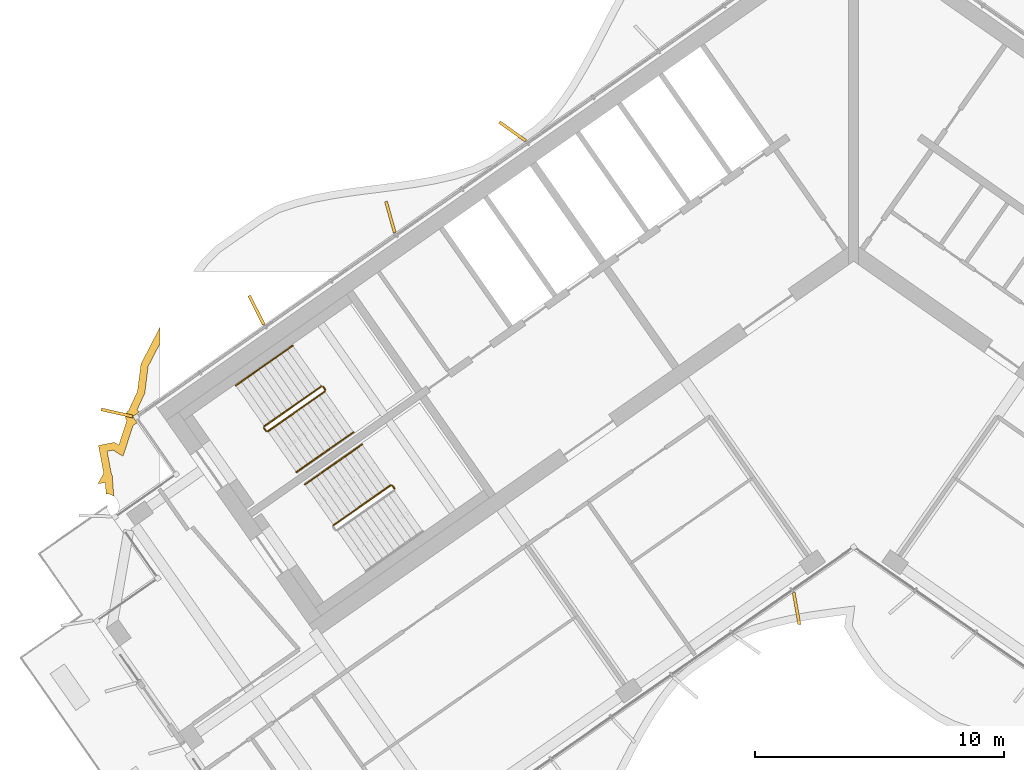
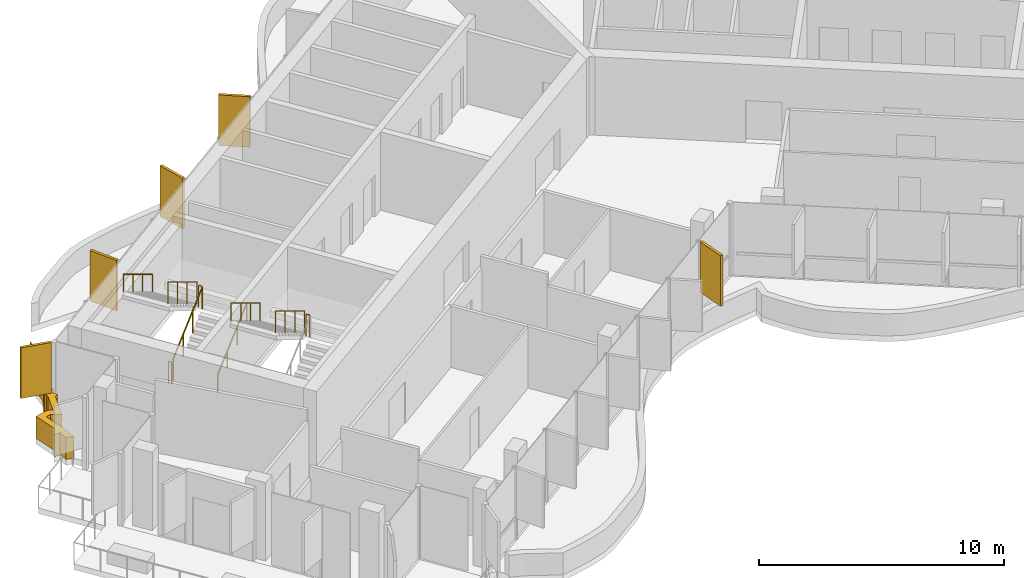
# One storey, part 14 of 18: 9 railings, 6 shading devices.
"""IFC4 building model written with IfcOpenShell, lengths in metres."""

from ifc_helpers import new_model, si_unit, direction, frame, origin, origin_2d, place, context, subcontext, project, spatial, polyline, rectangle, circle, outline, extrude, material, layer, layer_set, type_object, element, save


model = new_model("IFC4")

# Units and contexts
model_context = context("Model", 3, precision=1e-05, world=origin(), true_north=direction((0.0, 1.0)))
body_context = subcontext(model_context, "Body", "Model", "MODEL_VIEW")
ifc_project = project(units=[si_unit("LENGTHUNIT", "METRE"), si_unit("AREAUNIT", "SQUARE_METRE"), si_unit("VOLUMEUNIT", "CUBIC_METRE"), si_unit("PLANEANGLEUNIT", "RADIAN"), si_unit("MASSUNIT", "GRAM", prefix="KILO")], contexts=[model_context])

# Site, building, storey
site_placement = place(None, origin())
site = spatial("IfcSite", under=ifc_project, at=site_placement, CompositionType="ELEMENT")
building_placement = place(site_placement, origin())
building = spatial("IfcBuilding", under=site, at=building_placement, Name="Tel Ilan Convention Tower", CompositionType="ELEMENT")
storey_placement = place(building_placement, frame((0.0, 0.0, 295.60009765625)))
storey = spatial("IfcBuildingStorey", under=building, at=storey_placement, Name="L70", CompositionType="ELEMENT", Elevation=295.60009765625)

# Shading devices
ifc_material_1 = material(Name="Aluminium, bronze anodised", Category="aluminium")
ifc_layer_1 = layer(ifc_material_1, 0.1201171875)
ifc_layer_set_1 = layer_set([ifc_layer_1], Name="FIN BRONZE 1300x120")
shading_device_type_1 = type_object("IfcShadingDeviceType", Name="FIN BRONZE 1300x120", PredefinedType="USERDEFINED", material=ifc_layer_set_1)
for number, where, z_axis, x_axis, name in (
    (1, (-13.703125, 3.9951171875, 1.099853515625), (0.0, 0.0, 1.0), (-0.813552070258, 0.581492071294, 0.0), "FIN"),
    (2, (-18.61376953125, 0.556640625, 1.099853515625), (0.0, 0.0, 1.0), (-0.268172612768, 0.963370878614, 0.0), "FIN"),
    (3, (-23.989990234375, -3.184814453125, 1.099853515625), (0.0, 0.0, 1.0), (-0.448799180206, 0.893632640321, 0.0), "FIN"),
    (4, (-29.594970703125, -7.31494140625, 1.099853515625), (0.0, 0.0, 1.0), (-0.975235208752, 0.221170268371, 0.0), "FIN"),
    (5, (-2.294189453125, -15.174072265625, 1.099853515625), (0.0, 0.0, 1.0), (0.173648177667, -0.984807753012, 0.0), "FIN"),
):
    element("IfcShadingDevice", number, at=place(storey_placement, frame(where, z_axis=z_axis, x_axis=x_axis)), inside=storey, type_object=shading_device_type_1, Name=name, ObjectType="FIN", PredefinedType="USERDEFINED", context=body_context, shape_type="SweptSolid", body=[
        extrude(rectangle(XDim=1.300048828125, YDim=0.1201171875, at=origin_2d()), origin(), (0.0, 0.0, 1.0), 2.52001953125),
    ])
ifc_material_2 = material(Name="Aluminium, bronze anodised", Category="aluminium")
ifc_layer_2 = layer(ifc_material_2, 0.300048828125)
ifc_layer_set_2 = layer_set([ifc_layer_2], Name="LOUVRE BAND 300x1100")
shading_device_type_2 = type_object("IfcShadingDeviceType", Name="LOUVRE BAND 300x1100", PredefinedType="USERDEFINED", material=ifc_layer_set_2)
shading_device_placement = place(storey_placement, origin())
element("IfcShadingDevice", 6, at=shading_device_placement, inside=storey, type_object=shading_device_type_2, Name="LOUVRE BAND 53.03", ObjectType="LOUVRE", PredefinedType="USERDEFINED", context=body_context, shape_type="SweptSolid", body=[
    extrude(outline(polyline([(-30.031982421875, -10.56689453125), (-29.976318359375, -10.568603515625), (-29.8798828125, -10.58544921875), (-29.788330078125, -10.62109375), (-29.724365234375, -10.657470703125), (-29.7880859375, -9.810302734375), (-29.82568359375, -9.812744140625), (-29.814697265625, -9.793212890625), (-29.9912109375, -8.85791015625), (-29.756103515625, -8.80908203125), (-29.352783203125, -9.0546875), (-28.950439453125, -7.8193359375), (-28.787353515625, -7.705322265625), (-28.958740234375, -7.458984375), (-28.713134765625, -7.286865234375), (-28.785888671875, -7.182861328125), (-28.480224609375, -6.525634765625), (-28.343994140625, -5.44384765625), (-27.874755859375, -4.536376953125), (-27.874755859375, -3.881103515625), (-28.635009765625, -5.353271484375), (-28.772216796875, -6.441650390625), (-29.127685546875, -7.218017578125), (-29.1708984375, -7.246826171875), (-29.236083984375, -7.34423828125), (-29.2587890625, -7.458984375), (-29.236083984375, -7.57373046875), (-29.199951171875, -7.6279296875), (-29.5205078125, -8.60107421875), (-29.700927734375, -8.4912109375), (-30.340576171875, -8.6240234375), (-30.1298828125, -9.741455078125), (-30.358642578125, -10.1484375), (-30.06494140625, -10.129150390625), (-30.031982421875, -10.56689453125)])), origin(), (0.0, 0.0, 1.0), 1.099853515625),
])

# Railings
ifc_material_3 = material(Name="Stainless Steel Grade 316", Category="steel")
railing_type_1 = type_object("IfcRailingType", Name="Stainless Steel Stair Guard 1100 mm", PredefinedType="GUARDRAIL", material=ifc_material_3)
railing_1_placement = place(storey_placement, frame((-23.535400390625, -8.056396484375, 0.17724609375)))
element("IfcRailing", 7, at=railing_1_placement, inside=storey, type_object=railing_type_1, Name="L70 S1 stair guard 1", PredefinedType="GUARDRAIL", context=body_context, shape_type="SweptSolid", body=[
    extrude(circle(Radius=0.02392578125, at=origin_2d()), frame((0.0, 0.0, 1.076171875), z_axis=(0.692098378994, 0.484653031975, 0.534893701956), x_axis=(-0.573608623498, 0.819129505664, 0.0)), (0.0, 0.0, 1.0), 3.314208984375),
    extrude(circle(Radius=0.02099609375, at=origin_2d()), origin(), (0.0, 0.0, 1.0), 1.052001953125),
    extrude(circle(Radius=0.02099609375, at=origin_2d()), frame((0.7646484375, 0.535400390625, 0.5908203125)), (0.0, 0.0, 1.0), 1.052001953125),
    extrude(circle(Radius=0.02099609375, at=origin_2d()), frame((1.529052734375, 1.07080078125, 1.181884765625)), (0.0, 0.0, 1.0), 1.052001953125),
    extrude(circle(Radius=0.02099609375, at=origin_2d()), frame((2.293701171875, 1.606201171875, 1.772705078125)), (0.0, 0.0, 1.0), 1.052001953125),
])
railing_2_placement = place(storey_placement, frame((-21.2294921875, -6.380615234375, 1.949951171875)))
element("IfcRailing", 8, at=railing_2_placement, inside=storey, type_object=railing_type_1, Name="L70 S1 stair guard 2", PredefinedType="GUARDRAIL", context=body_context, shape_type="SweptSolid", body=[
    extrude(circle(Radius=0.02392578125, at=origin_2d()), frame((0.0, 0.0, 1.076171875), z_axis=(-0.573353020881, 0.819308436089, 0.0), x_axis=(-0.819308436089, -0.573353020881, 0.0)), (0.0, 0.0, 1.0), 0.14990234375),
    extrude(circle(Radius=0.02099609375, at=origin_2d()), origin(), (0.0, 0.0, 1.0), 1.052001953125),
    extrude(circle(Radius=0.02099609375, at=origin_2d()), frame((-0.0859375, 0.122802734375, 0.0)), (0.0, 0.0, 1.0), 1.052001953125),
])
railing_3_placement = place(storey_placement, frame((-21.38525390625, -6.24560546875, 2.127197265625)))
element("IfcRailing", 9, at=railing_3_placement, inside=storey, type_object=railing_type_1, Name="L70 S1 stair guard 3", PredefinedType="GUARDRAIL", context=body_context, shape_type="SweptSolid", body=[
    extrude(circle(Radius=0.02392578125, at=origin_2d()), frame((0.0, 0.0, 1.076171875), z_axis=(-0.692084706163, -0.484621375041, 0.534940073605), x_axis=(0.573591086599, -0.819141785879, 0.0)), (0.0, 0.0, 1.0), 3.313720703125),
    extrude(circle(Radius=0.02099609375, at=origin_2d()), origin(), (0.0, 0.0, 1.0), 1.052001953125),
    extrude(circle(Radius=0.02099609375, at=origin_2d()), frame((-0.764404296875, -0.535400390625, 0.5908203125)), (0.0, 0.0, 1.0), 1.052001953125),
    extrude(circle(Radius=0.02099609375, at=origin_2d()), frame((-1.529052734375, -1.070556640625, 1.181884765625)), (0.0, 0.0, 1.0), 1.052001953125),
    extrude(circle(Radius=0.02099609375, at=origin_2d()), frame((-2.29345703125, -1.60595703125, 1.772705078125)), (0.0, 0.0, 1.0), 1.052001953125),
])
railing_4_placement = place(storey_placement, frame((-23.60498046875, -8.0439453125, 0.0)))
element("IfcRailing", 10, at=railing_4_placement, inside=storey, type_object=railing_type_1, Name="L70 S1 stair guard 4", PredefinedType="GUARDRAIL", context=body_context, shape_type="SweptSolid", body=[
    extrude(circle(Radius=0.02392578125, at=origin_2d()), frame((0.0, 0.0, 1.076171875), z_axis=(-0.574444878118, 0.818543268254, 0.0), x_axis=(-0.818543268254, -0.574444878118, 0.0)), (0.0, 0.0, 1.0), 0.150146484375),
    extrude(circle(Radius=0.02099609375, at=origin_2d()), origin(), (0.0, 0.0, 1.0), 1.052001953125),
    extrude(circle(Radius=0.02099609375, at=origin_2d()), frame((-0.086181640625, 0.122802734375, 0.0)), (0.0, 0.0, 1.0), 1.052001953125),
])
railing_5_placement = place(storey_placement, frame((-18.44775390625, -10.353515625, 1.949951171875)))
element("IfcRailing", 11, at=railing_5_placement, inside=storey, type_object=railing_type_1, Name="L70 S2 stair guard 2", PredefinedType="GUARDRAIL", context=body_context, shape_type="SweptSolid", body=[
    extrude(circle(Radius=0.02392578125, at=origin_2d()), frame((0.0, 0.0, 1.076171875), z_axis=(-0.573353020881, 0.819308436089, 0.0), x_axis=(-0.819308436089, -0.573353020881, 0.0)), (0.0, 0.0, 1.0), 0.14990234375),
    extrude(circle(Radius=0.02099609375, at=origin_2d()), origin(), (0.0, 0.0, 1.0), 1.052001953125),
    extrude(circle(Radius=0.02099609375, at=origin_2d()), frame((-0.0859375, 0.122802734375, 0.0)), (0.0, 0.0, 1.0), 1.052001953125),
])
railing_6_placement = place(storey_placement, frame((-18.603271484375, -10.218505859375, 2.127197265625)))
element("IfcRailing", 12, at=railing_6_placement, inside=storey, type_object=railing_type_1, Name="L70 S2 stair guard 3", PredefinedType="GUARDRAIL", context=body_context, shape_type="SweptSolid", body=[
    extrude(circle(Radius=0.02392578125, at=origin_2d()), frame((0.0, 0.0, 1.076171875), z_axis=(-0.692123088272, -0.484596665743, 0.534912798717), x_axis=(0.573550118428, -0.819170471667, 0.0)), (0.0, 0.0, 1.0), 3.31396484375),
    extrude(circle(Radius=0.02099609375, at=origin_2d()), origin(), (0.0, 0.0, 1.0), 1.052001953125),
    extrude(circle(Radius=0.02099609375, at=origin_2d()), frame((-0.7646484375, -0.535400390625, 0.5908203125)), (0.0, 0.0, 1.0), 1.052001953125),
    extrude(circle(Radius=0.02099609375, at=origin_2d()), frame((-1.529052734375, -1.070556640625, 1.181884765625)), (0.0, 0.0, 1.0), 1.052001953125),
    extrude(circle(Radius=0.02099609375, at=origin_2d()), frame((-2.293701171875, -1.60595703125, 1.772705078125)), (0.0, 0.0, 1.0), 1.052001953125),
])
ifc_material_4 = material(Name="Stainless Steel Grade 316", Category="steel")
railing_type_2 = type_object("IfcRailingType", Name="Stainless Steel Stair Handrail 900 mm", PredefinedType="HANDRAIL", material=ifc_material_4)
railing_7_placement = place(storey_placement, frame((-22.38818359375, -9.694580078125, 0.17724609375)))
element("IfcRailing", 13, at=railing_7_placement, inside=storey, type_object=railing_type_2, Name="L70 S1 stair handrail 1", PredefinedType="HANDRAIL", context=body_context, shape_type="SweptSolid", body=[
    extrude(circle(Radius=0.02392578125, at=origin_2d()), frame((0.0, 0.0, 0.8759765625), z_axis=(0.692084706163, 0.484621375041, 0.534940073605), x_axis=(-0.573591086599, 0.819141785879, 0.0)), (0.0, 0.0, 1.0), 3.313720703125),
    extrude(circle(Radius=0.02099609375, at=origin_2d()), origin(), (0.0, 0.0, 1.0), 0.851806640625),
    extrude(circle(Radius=0.02099609375, at=origin_2d()), frame((0.764404296875, 0.535400390625, 0.5908203125)), (0.0, 0.0, 1.0), 0.851806640625),
    extrude(circle(Radius=0.02099609375, at=origin_2d()), frame((1.529052734375, 1.070556640625, 1.181884765625)), (0.0, 0.0, 1.0), 0.851806640625),
    extrude(circle(Radius=0.02099609375, at=origin_2d()), frame((2.29345703125, 1.60595703125, 1.772705078125)), (0.0, 0.0, 1.0), 0.851806640625),
])
for number, where, name in (
    (14, (-22.5322265625, -4.607177734375, 2.127197265625), "L70 S1 stair handrail 2"),
    (15, (-19.75048828125, -8.580078125, 2.127197265625), "L70 S2 stair handrail 2"),
):
    element("IfcRailing", number, at=place(storey_placement, frame(where)), inside=storey, type_object=railing_type_2, Name=name, PredefinedType="HANDRAIL", context=body_context, shape_type="SweptSolid", body=[
        extrude(circle(Radius=0.02392578125, at=origin_2d()), frame((0.0, 0.0, 0.8759765625), z_axis=(-0.692123088272, -0.484596665743, 0.534912798717), x_axis=(0.573550118428, -0.819170471667, 0.0)), (0.0, 0.0, 1.0), 3.31396484375),
        extrude(circle(Radius=0.02099609375, at=origin_2d()), origin(), (0.0, 0.0, 1.0), 0.851806640625),
        extrude(circle(Radius=0.02099609375, at=origin_2d()), frame((-0.7646484375, -0.535400390625, 0.5908203125)), (0.0, 0.0, 1.0), 0.851806640625),
        extrude(circle(Radius=0.02099609375, at=origin_2d()), frame((-1.529052734375, -1.070556640625, 1.181884765625)), (0.0, 0.0, 1.0), 0.851806640625),
        extrude(circle(Radius=0.02099609375, at=origin_2d()), frame((-2.293701171875, -1.60595703125, 1.772705078125)), (0.0, 0.0, 1.0), 0.851806640625),
    ])

save(model, "model.ifc")
